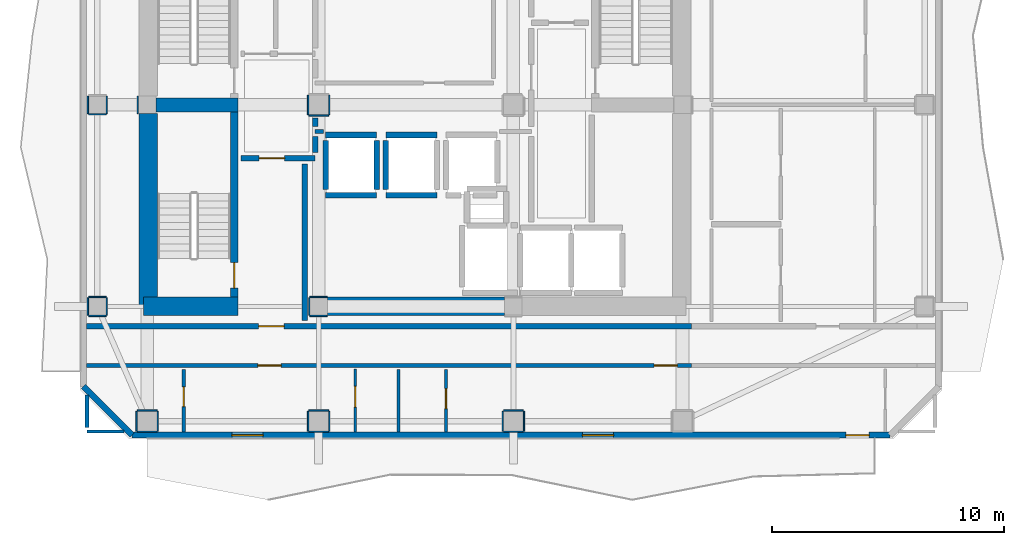
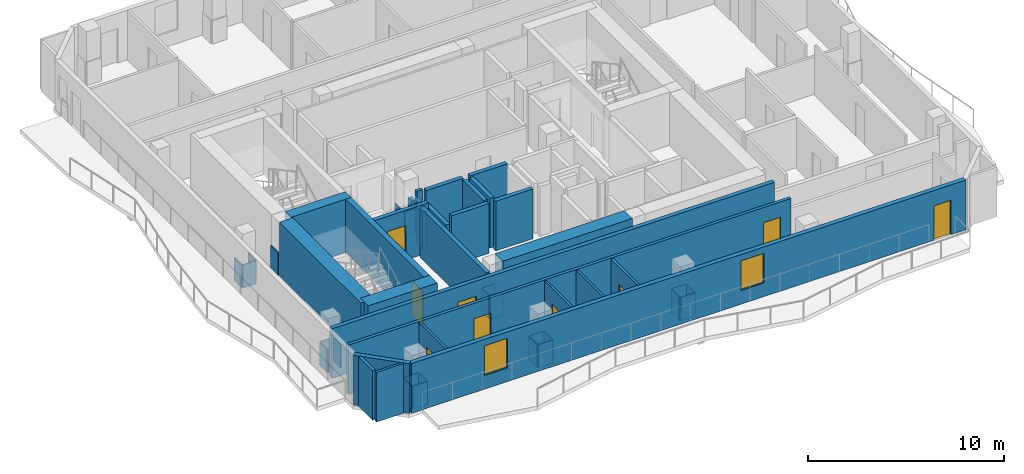
# One storey, part 2 of 9: 53 walls, 9 doors, 2 windows, 11 openings.
"""IFC4 building model written with IfcOpenShell, lengths in metres."""

from ifc_helpers import new_model, si_unit, direction, frame, frame_2d, origin, place, context, subcontext, project, spatial, rectangle, extrude, material, layer, layer_set, type_object, element, fill, save


model = new_model("IFC4")

# Units and contexts
model_context = context("Model", 3, precision=1e-05, world=origin(), true_north=direction((0.0, 1.0)))
body_context = subcontext(model_context, "Body", "Model", "MODEL_VIEW")
ifc_project = project(units=[si_unit("LENGTHUNIT", "METRE"), si_unit("AREAUNIT", "SQUARE_METRE"), si_unit("VOLUMEUNIT", "CUBIC_METRE"), si_unit("PLANEANGLEUNIT", "RADIAN"), si_unit("MASSUNIT", "GRAM", prefix="KILO")], contexts=[model_context])

# Site, building, storey
site_placement = place(None, origin())
site = spatial("IfcSite", under=ifc_project, at=site_placement, CompositionType="ELEMENT")
building_placement = place(site_placement, origin())
building = spatial("IfcBuilding", under=site, at=building_placement, Name="Solanera Arch Residences", CompositionType="ELEMENT")
storey_placement = place(building_placement, frame((0.0, 0.0, 234.60009765625)))
storey = spatial("IfcBuildingStorey", under=building, at=storey_placement, Name="L68", CompositionType="ELEMENT", Elevation=234.60009765625)

# Walls
ifc_material_1 = material(Name="Fire-Rated Gypsum Stud Partition", Category="gypsum")
ifc_layer_1 = layer(ifc_material_1, 0.06005859375)
ifc_layer_set_1 = layer_set([ifc_layer_1], Name="Fire-Rated Gypsum Stud Partition")
wall_type_1 = type_object("IfcWallType", Name="Column Acoustic Furring Wall 60", PredefinedType="PARTITIONING", material=ifc_layer_set_1)
for number, where, z_axis, x_axis, name in (
    (1, (20.425048828125, 21.593017578125, 0.0), (0.0, 0.0, 1.0), (1.0, 0.0, 0.0), "L68 Column Furring 1S"),
    (2, (20.425048828125, 22.406982421875, 0.0), (0.0, 0.0, 1.0), (1.0, 0.0, 0.0), "L68 Column Furring 1N"),
):
    element("IfcWall", number, at=place(storey_placement, frame(where, z_axis=z_axis, x_axis=x_axis)), inside=storey, type_object=wall_type_1, Name=name, PredefinedType="PARTITIONING", context=body_context, shape_type="SweptSolid", body=[
        extrude(rectangle(XDim=0.741943359375, YDim=0.06005859375, at=frame_2d((0.37109375, 0.0))), origin(), (0.0, 0.0, 1.0), 1.449951171875),
    ])
for number, where, z_axis, x_axis, name in (
    (3, (20.39306640625, 21.625, 0.0), (0.0, 0.0, 1.0), (0.0, 1.0, 0.0), "L68 Column Furring 1W"),
    (4, (12.992919921875, 30.324951171875, 0.0), (0.0, 0.0, 1.0), (0.0, 1.0, 0.0), "L68 Column Furring 5W"),
):
    element("IfcWall", number, at=place(storey_placement, frame(where, z_axis=z_axis, x_axis=x_axis)), inside=storey, type_object=wall_type_1, Name=name, PredefinedType="PARTITIONING", context=body_context, shape_type="SweptSolid", body=[
        extrude(rectangle(XDim=0.75, YDim=0.06005859375, at=frame_2d((0.375, 0.0))), origin(), (0.0, 0.0, 1.0), 1.449951171875),
    ])
for number, where, z_axis, x_axis, name in (
    (5, (20.375, 30.242919921875, 0.0), (0.0, 0.0, 1.0), (1.0, 0.0, 0.0), "L68 Column Furring 7S"),
    (6, (20.343017578125, 30.27490234375, 0.0), (0.0, 0.0, 1.0), (0.0, 1.0, 0.0), "L68 Column Furring 7W"),
    (7, (21.257080078125, 30.27490234375, 0.0), (0.0, 0.0, 1.0), (0.0, 1.0, 0.0), "L68 Column Furring 7E"),
):
    element("IfcWall", number, at=place(storey_placement, frame(where, z_axis=z_axis, x_axis=x_axis)), inside=storey, type_object=wall_type_1, Name=name, PredefinedType="PARTITIONING", context=body_context, shape_type="SweptSolid", body=[
        extrude(rectangle(XDim=0.85009765625, YDim=0.06005859375, at=frame_2d((0.425048828125, 0.0))), origin(), (0.0, 0.0, 1.0), 1.449951171875),
    ])
for number, where, z_axis, x_axis, name in (
    (8, (12.97509765625, 16.593017578125, 0.0), (0.0, 0.0, 1.0), (1.0, 0.0, 0.0), "L68 Column Furring 9S"),
    (9, (12.97509765625, 17.507080078125, 0.0), (0.0, 0.0, 1.0), (1.0, 0.0, 0.0), "L68 Column Furring 9N"),
):
    element("IfcWall", number, at=place(storey_placement, frame(where, z_axis=z_axis, x_axis=x_axis)), inside=storey, type_object=wall_type_1, Name=name, PredefinedType="PARTITIONING", context=body_context, shape_type="SweptSolid", body=[
        extrude(rectangle(XDim=0.849853515625, YDim=0.06005859375, at=frame_2d((0.4248046875, 0.0))), origin(), (0.0, 0.0, 1.0), 1.449951171875),
    ])
for number, where, z_axis, x_axis, name in (
    (10, (12.943115234375, 16.625, 0.0), (0.0, 0.0, 1.0), (0.0, 1.0, 0.0), "L68 Column Furring 9W"),
    (11, (13.85693359375, 16.625, 0.0), (0.0, 0.0, 1.0), (0.0, 1.0, 0.0), "L68 Column Furring 9E"),
    (12, (20.375, 16.593017578125, 0.0), (0.0, 0.0, 1.0), (1.0, 0.0, 0.0), "L68 Column Furring 11S"),
    (13, (20.375, 17.507080078125, 0.0), (0.0, 0.0, 1.0), (1.0, 0.0, 0.0), "L68 Column Furring 11N"),
    (14, (20.343017578125, 16.625, 0.0), (0.0, 0.0, 1.0), (0.0, 1.0, 0.0), "L68 Column Furring 11W"),
    (15, (21.257080078125, 16.625, 0.0), (0.0, 0.0, 1.0), (0.0, 1.0, 0.0), "L68 Column Furring 11E"),
    (16, (28.77490234375, 16.593017578125, 0.0), (0.0, 0.0, 1.0), (1.0, 0.0, 0.0), "L68 Column Furring 13S"),
    (17, (28.77490234375, 17.507080078125, 0.0), (0.0, 0.0, 1.0), (1.0, 0.0, 0.0), "L68 Column Furring 13N"),
    (18, (28.742919921875, 16.625, 0.0), (0.0, 0.0, 1.0), (0.0, 1.0, 0.0), "L68 Column Furring 13W"),
    (19, (29.656982421875, 16.625, 0.0), (0.0, 0.0, 1.0), (0.0, 1.0, 0.0), "L68 Column Furring 13E"),
):
    element("IfcWall", number, at=place(storey_placement, frame(where, z_axis=z_axis, x_axis=x_axis)), inside=storey, type_object=wall_type_1, Name=name, PredefinedType="PARTITIONING", context=body_context, shape_type="SweptSolid", body=[
        extrude(rectangle(XDim=0.85009765625, YDim=0.06005859375, at=frame_2d((0.425048828125, 0.0))), origin(), (0.0, 0.0, 1.0), 1.449951171875),
    ])
for number, where, z_axis, x_axis, name in (
    (20, (10.875, 21.593017578125, 0.0), (0.0, 0.0, 1.0), (1.0, 0.0, 0.0), "L68 Column Furring 17S"),
    (21, (10.875, 22.406982421875, 0.0), (0.0, 0.0, 1.0), (1.0, 0.0, 0.0), "L68 Column Furring 17N"),
    (22, (10.843017578125, 21.625, 0.0), (0.0, 0.0, 1.0), (0.0, 1.0, 0.0), "L68 Column Furring 17W"),
    (23, (11.656982421875, 21.625, 0.0), (0.0, 0.0, 1.0), (0.0, 1.0, 0.0), "L68 Column Furring 17E"),
    (24, (10.875, 30.29296875, 0.0), (0.0, 0.0, 1.0), (1.0, 0.0, 0.0), "L68 Column Furring 19S"),
    (25, (10.843017578125, 30.324951171875, 0.0), (0.0, 0.0, 1.0), (0.0, 1.0, 0.0), "L68 Column Furring 19W"),
    (26, (11.656982421875, 30.324951171875, 0.0), (0.0, 0.0, 1.0), (0.0, 1.0, 0.0), "L68 Column Furring 19E"),
):
    element("IfcWall", number, at=place(storey_placement, frame(where, z_axis=z_axis, x_axis=x_axis)), inside=storey, type_object=wall_type_1, Name=name, PredefinedType="PARTITIONING", context=body_context, shape_type="SweptSolid", body=[
        extrude(rectangle(XDim=0.75, YDim=0.06005859375, at=frame_2d((0.375, 0.0))), origin(), (0.0, 0.0, 1.0), 1.449951171875),
    ])

# Wall, opening, door
ifc_material_2 = material(Name="Concrete C40/50 (f'c = 45 MPa)", Category="concrete")
ifc_layer_2 = layer(ifc_material_2, 0.320068359375)
ifc_layer_set_2 = layer_set([ifc_layer_2], Name="Concrete C40/50 (f'c = 45 MPa)")
wall_type_2 = type_object("IfcWallType", Name="Core Shear Wall CW-320", PredefinedType="SHEAR", material=ifc_layer_set_2)
wall_1_placement = place(storey_placement, frame((17.159912109375, 22.39990234375, 0.0), z_axis=(0.0, 0.0, 1.0), x_axis=(0.0, 1.0, 0.0)))
wall_1 = element("IfcWall", 27, at=wall_1_placement, inside=storey, type_object=wall_type_2, Name="L68 Stair ST-T3 East Shear Wall", PredefinedType="SHEAR", context=body_context, shape_type="SweptSolid", body=[
    extrude(rectangle(XDim=8.0, YDim=0.320068359375, at=frame_2d((4.0, 0.0))), origin(), (0.0, 0.0, 1.0), 3.31982421875),
])
opening_1_placement = place(wall_1_placement, frame((0.389892578125, 0.0, 0.0)))
opening_1 = element("IfcOpeningElement", 28, at=opening_1_placement, cuts=wall_1, Name="Opening DF-01", PredefinedType="OPENING", context=body_context, shape_type="SweptSolid", body=[
    extrude(rectangle(XDim=1.10009765625, YDim=2.14990234375, at=frame_2d((0.550048828125, 1.074951171875))), frame((0.0, 0.169921875, 0.0), z_axis=(0.0, -1.0, 0.0), x_axis=(1.0, 0.0, 0.0)), (0.0, 0.0, 1.0), 0.3401),
])
ifc_material_3 = material(Name="Fire-Rated Architectural Hardwood", Category="wood")
door_type_1 = type_object("IfcDoorType", Name="Stair Exit Fire Door DF-01", OperationType="NOTDEFINED", PredefinedType="DOOR", material=ifc_material_3)
door_1_placement = place(opening_1_placement, origin())
door_1 = element("IfcDoor", 29, at=door_1_placement, inside=storey, type_object=door_type_1, Name="DR-L68-STAIR-ST-T3", OperationType="SINGLE_SWING_LEFT", OverallHeight=2.14990234375, OverallWidth=1.10009765625, PredefinedType="DOOR", context=body_context, shape_type="SweptSolid", body=[
    extrude(rectangle(XDim=1.10009765625, YDim=2.14990234375, at=frame_2d((0.550048828125, 1.074951171875))), frame((0.0, 0.02490234375, 0.0), z_axis=(0.0, -1.0, 0.0), x_axis=(1.0, 0.0, 0.0)), (0.0, 0.0, 1.0), 0.050048828125),
])
fill(opening_1, door_1)

# Walls
ifc_material_4 = material(Name="Concrete C40/50 (f'c = 45 MPa)", Category="concrete")
ifc_layer_3 = layer(ifc_material_4, 0.60009765625)
ifc_layer_set_3 = layer_set([ifc_layer_3], Name="Concrete C40/50 (f'c = 45 MPa)")
wall_type_3 = type_object("IfcWallType", Name="Core Shear Wall CW-600", PredefinedType="SHEAR", material=ifc_layer_set_3)
wall_2_placement = place(storey_placement, frame((13.780029296875, 30.699951171875, 0.0), z_axis=(0.0, 0.0, 1.0), x_axis=(1.0, 0.0, 0.0)))
element("IfcWall", 30, at=wall_2_placement, inside=storey, type_object=wall_type_3, Name="L68 West Stair Divider Shear Wall", PredefinedType="SHEAR", context=body_context, shape_type="SweptSolid", body=[
    extrude(rectangle(XDim=3.5400390625, YDim=0.60009765625, at=frame_2d((1.77001953125, 0.0))), origin(), (0.0, 0.0, 1.0), 3.31982421875),
])
ifc_material_5 = material(Name="Concrete C40/50 (f'c = 45 MPa)", Category="concrete")
ifc_layer_4 = layer(ifc_material_5, 0.800048828125)
ifc_layer_set_4 = layer_set([ifc_layer_4], Name="Concrete C40/50 (f'c = 45 MPa)")
wall_type_4 = type_object("IfcWallType", Name="Core Shear Wall CW-800", PredefinedType="SHEAR", material=ifc_layer_set_4)
wall_3_placement = place(storey_placement, frame((13.43994140625, 22.0, 0.0), z_axis=(0.0, 0.0, 1.0), x_axis=(0.0, 1.0, 0.0)))
element("IfcWall", 31, at=wall_3_placement, inside=storey, type_object=wall_type_4, Name="L68 West Core South Shear Wall", PredefinedType="SHEAR", context=body_context, shape_type="SweptSolid", body=[
    extrude(rectangle(XDim=8.320068359375, YDim=0.800048828125, at=frame_2d((4.16015625, 0.0))), origin(), (0.0, 0.0, 1.0), 3.31982421875),
])
wall_4_placement = place(storey_placement, frame((13.239990234375, 22.0, 0.0), z_axis=(0.0, 0.0, 1.0), x_axis=(1.0, 0.0, 0.0)))
element("IfcWall", 32, at=wall_4_placement, inside=storey, type_object=wall_type_4, Name="L68 South-West Core Shear Wall", PredefinedType="SHEAR", context=body_context, shape_type="SweptSolid", body=[
    extrude(rectangle(XDim=4.080078125, YDim=0.800048828125, at=frame_2d((2.0400390625, 0.0))), origin(), (0.0, 0.0, 1.0), 3.31982421875),
])
wall_5_placement = place(storey_placement, frame((21.179931640625, 22.0, 0.0), z_axis=(0.0, 0.0, 1.0), x_axis=(1.0, 0.0, 0.0)))
element("IfcWall", 33, at=wall_5_placement, inside=storey, type_object=wall_type_4, Name="L68 Central South Core Shear Wall", PredefinedType="SHEAR", context=body_context, shape_type="SweptSolid", body=[
    extrude(rectangle(XDim=7.64013671875, YDim=0.800048828125, at=frame_2d((3.820068359375, 0.0))), origin(), (0.0, 0.0, 1.0), 3.31982421875),
])

# Wall, openings, doors
ifc_material_6 = material(Name="Autoclaved Aerated Concrete Blockwork", Category="masonry")
ifc_layer_5 = layer(ifc_material_6, 0.179931640625)
ifc_layer_set_5 = layer_set([ifc_layer_5], Name="Autoclaved Aerated Concrete Blockwork")
wall_type_5 = type_object("IfcWallType", Name="Corridor Fire Partition 180", PredefinedType="PARTITIONING", material=ifc_layer_set_5)
wall_6_placement = place(storey_placement, frame((10.787109375, 19.449951171875, 0.0), z_axis=(0.0, 0.0, 1.0), x_axis=(1.0, 0.0, 0.0)))
wall_6 = element("IfcWall", 34, at=wall_6_placement, inside=storey, type_object=wall_type_5, Name="L68 Interior Partition H8 1", PredefinedType="PARTITIONING", context=body_context, shape_type="SweptSolid", body=[
    extrude(rectangle(XDim=26.101806640625, YDim=0.179931640625, at=frame_2d((13.05078125, 0.0))), origin(), (0.0, 0.0, 1.0), 3.099853515625),
])
opening_2_placement = place(wall_6_placement, frame((7.39306640625, 0.0, 0.0)))
opening_2 = element("IfcOpeningElement", 35, at=opening_2_placement, cuts=wall_6, Name="Opening DI-01", PredefinedType="OPENING", context=body_context, shape_type="SweptSolid", body=[
    extrude(rectangle(XDim=1.0, YDim=2.14990234375, at=frame_2d((0.5, 1.074951171875))), frame((0.0, 0.10009765625, 0.0), z_axis=(0.0, -1.0, 0.0), x_axis=(1.0, 0.0, 0.0)), (0.0, 0.0, 1.0), 0.1999),
])
opening_3_placement = place(wall_6_placement, frame((24.485107421875, 0.0, 0.0)))
opening_3 = element("IfcOpeningElement", 36, at=opening_3_placement, cuts=wall_6, Name="Opening DI-01", PredefinedType="OPENING", context=body_context, shape_type="SweptSolid", body=[
    extrude(rectangle(XDim=1.0, YDim=2.14990234375, at=frame_2d((0.5, 1.074951171875))), frame((0.0, 0.10009765625, 0.0), z_axis=(0.0, -1.0, 0.0), x_axis=(1.0, 0.0, 0.0)), (0.0, 0.0, 1.0), 0.1999),
])
ifc_material_7 = material(Name="Fire-Rated Architectural Hardwood", Category="wood")
door_type_2 = type_object("IfcDoorType", Name="Unit Entrance Fire Door DI-01", OperationType="NOTDEFINED", PredefinedType="DOOR", material=ifc_material_7)
door_2_placement = place(opening_2_placement, origin())
door_2 = element("IfcDoor", 37, at=door_2_placement, inside=storey, type_object=door_type_2, Name="DR-L68-IN-014", OperationType="SINGLE_SWING_RIGHT", OverallHeight=2.14990234375, OverallWidth=1.0, PredefinedType="DOOR", context=body_context, shape_type="SweptSolid", body=[
    extrude(rectangle(XDim=1.0, YDim=2.14990234375, at=frame_2d((0.5, 1.074951171875))), frame((0.0, 0.02490234375, 0.0), z_axis=(0.0, -1.0, 0.0), x_axis=(1.0, 0.0, 0.0)), (0.0, 0.0, 1.0), 0.050048828125),
])
fill(opening_2, door_2)
door_3_placement = place(opening_3_placement, origin())
door_3 = element("IfcDoor", 38, at=door_3_placement, inside=storey, type_object=door_type_2, Name="DR-L68-IN-017", OperationType="SINGLE_SWING_LEFT", OverallHeight=2.14990234375, OverallWidth=1.0, PredefinedType="DOOR", context=body_context, shape_type="SweptSolid", body=[
    extrude(rectangle(XDim=1.0, YDim=2.14990234375, at=frame_2d((0.5, 1.074951171875))), frame((0.0, 0.02490234375, 0.0), z_axis=(0.0, -1.0, 0.0), x_axis=(1.0, 0.0, 0.0)), (0.0, 0.0, 1.0), 0.050048828125),
])
fill(opening_3, door_3)

# Walls
wall_7_placement = place(storey_placement, frame((20.64990234375, 29.550048828125, 0.0), z_axis=(0.0, 0.0, 1.0), x_axis=(1.0, 0.0, 0.0)))
element("IfcWall", 39, at=wall_7_placement, inside=storey, type_object=wall_type_5, Name="L68 Interior Partition H9 1", PredefinedType="PARTITIONING", context=body_context, shape_type="SweptSolid", body=[
    extrude(rectangle(XDim=0.357177734375, YDim=0.179931640625, at=frame_2d((0.1787109375, 0.0))), origin(), (0.0, 0.0, 1.0), 3.099853515625),
])
wall_8_placement = place(storey_placement, frame((10.800048828125, 16.76806640625, 0.0), z_axis=(0.0, 0.0, 1.0), x_axis=(0.0, 1.0, 0.0)))
element("IfcWall", 40, at=wall_8_placement, inside=storey, type_object=wall_type_5, Name="L68 Interior Partition V7", PredefinedType="PARTITIONING", context=body_context, shape_type="SweptSolid", body=[
    extrude(rectangle(XDim=1.4208984375, YDim=0.179931640625, at=frame_2d((0.71044921875, 0.0))), origin(), (0.0, 0.0, 1.0), 3.099853515625),
])

# Wall, openings, door, windows
ifc_material_8 = material(Name="Precast Concrete C35/45", Category="concrete")
ifc_layer_6 = layer(ifc_material_8, 0.260009765625)
ifc_layer_set_6 = layer_set([ifc_layer_6], Name="Precast Concrete C35/45")
wall_type_6 = type_object("IfcWallType", Name="Exterior Wall Precast Masonry-Frame 260", PredefinedType="STANDARD", material=ifc_layer_set_6)
wall_9_placement = place(storey_placement, frame((45.455078125, 16.445068359375, 0.0), z_axis=(0.0, 0.0, 1.0), x_axis=(-1.0, 0.0, 0.0)))
wall_9 = element("IfcWall", 41, at=wall_9_placement, inside=storey, type_object=wall_type_6, Name="L68 Tower Exterior Precast Masonry-Frame Wall S", PredefinedType="STANDARD", context=body_context, shape_type="SweptSolid", body=[
    extrude(rectangle(XDim=32.7099609375, YDim=0.260009765625, at=frame_2d((16.35498046875, 0.0))), origin(), (0.0, 0.0, 1.0), 3.099853515625),
])
opening_4_placement = place(wall_9_placement, frame((0.906982421875, 0.0, 0.0)))
opening_4 = element("IfcOpeningElement", 42, at=opening_4_placement, cuts=wall_9, Name="Opening DB-01", PredefinedType="OPENING", context=body_context, shape_type="SweptSolid", body=[
    extrude(rectangle(XDim=1.0, YDim=2.14990234375, at=frame_2d((0.5, 1.074951171875))), frame((0.0, 0.139892578125, 0.0), z_axis=(0.0, -1.0, 0.0), x_axis=(1.0, 0.0, 0.0)), (0.0, 0.0, 1.0), 0.28),
])
opening_5_placement = place(wall_9_placement, frame((27.052001953125, 0.0, 0.85009765625)))
opening_5 = element("IfcOpeningElement", 43, at=opening_5_placement, cuts=wall_9, Name="Opening W-10", PredefinedType="OPENING", context=body_context, shape_type="SweptSolid", body=[
    extrude(rectangle(XDim=1.35009765625, YDim=1.85009765625, at=frame_2d((0.675048828125, 0.925048828125))), frame((0.0, 0.139892578125, 0.0), z_axis=(0.0, -1.0, 0.0), x_axis=(1.0, 0.0, 0.0)), (0.0, 0.0, 1.0), 0.28),
])
opening_6_placement = place(wall_9_placement, frame((11.929931640625, 0.0, 0.85009765625)))
opening_6 = element("IfcOpeningElement", 44, at=opening_6_placement, cuts=wall_9, Name="Opening W-10", PredefinedType="OPENING", context=body_context, shape_type="SweptSolid", body=[
    extrude(rectangle(XDim=1.35009765625, YDim=1.85009765625, at=frame_2d((0.675048828125, 0.925048828125))), frame((0.0, 0.139892578125, 0.0), z_axis=(0.0, -1.0, 0.0), x_axis=(1.0, 0.0, 0.0)), (0.0, 0.0, 1.0), 0.28),
])
ifc_material_9 = material(Name="Anodised Aluminium Alloy 6063-T6", Category="aluminium")
door_type_3 = type_object("IfcDoorType", Name="Glazed Balcony Swing Door DB-01", OperationType="NOTDEFINED", PredefinedType="DOOR", material=ifc_material_9)
door_4_placement = place(opening_4_placement, origin())
door_4 = element("IfcDoor", 45, at=door_4_placement, inside=storey, type_object=door_type_3, Name="DR-L68-OUT-01", OperationType="SINGLE_SWING_RIGHT", OverallHeight=2.14990234375, OverallWidth=1.0, PredefinedType="DOOR", context=body_context, shape_type="SweptSolid", body=[
    extrude(rectangle(XDim=1.0, YDim=2.14990234375, at=frame_2d((0.5, 1.074951171875))), frame((0.0, 0.02490234375, 0.0), z_axis=(0.0, -1.0, 0.0), x_axis=(1.0, 0.0, 0.0)), (0.0, 0.0, 1.0), 0.050048828125),
])
fill(opening_4, door_4)
ifc_material_10 = material(Name="Double Glazed Low-E Laminated Glass", Category="glass")
window_type = type_object("IfcWindowType", Name="Punched Window W-10", PartitioningType="DOUBLE_PANEL_VERTICAL", PredefinedType="WINDOW", material=ifc_material_10)
window_1_placement = place(opening_5_placement, origin())
window_1 = element("IfcWindow", 46, at=window_1_placement, inside=storey, type_object=window_type, Name="L68 6801-LIV Punched Window", OverallHeight=1.85009765625, OverallWidth=1.35009765625, PartitioningType="SINGLE_PANEL", PredefinedType="WINDOW", context=body_context, shape_type="SweptSolid", body=[
    extrude(rectangle(XDim=1.35009765625, YDim=1.85009765625, at=frame_2d((0.675048828125, 0.925048828125))), frame((0.0, 0.030029296875, 0.0), z_axis=(0.0, -1.0, 0.0), x_axis=(1.0, 0.0, 0.0)), (0.0, 0.0, 1.0), 0.06005859375),
])
fill(opening_5, window_1)
window_2_placement = place(opening_6_placement, origin())
window_2 = element("IfcWindow", 47, at=window_2_placement, inside=storey, type_object=window_type, Name="L68 6802-LIV Punched Window", OverallHeight=1.85009765625, OverallWidth=1.35009765625, PartitioningType="SINGLE_PANEL", PredefinedType="WINDOW", context=body_context, shape_type="SweptSolid", body=[
    extrude(rectangle(XDim=1.35009765625, YDim=1.85009765625, at=frame_2d((0.675048828125, 0.925048828125))), frame((0.0, 0.030029296875, 0.0), z_axis=(0.0, -1.0, 0.0), x_axis=(1.0, 0.0, 0.0)), (0.0, 0.0, 1.0), 0.06005859375),
])
fill(opening_6, window_2)

# Walls
wall_10_placement = place(storey_placement, frame((12.7451171875, 16.445068359375, 0.0), z_axis=(0.0, 0.0, 1.0), x_axis=(-0.707147883682, 0.707065676302, 0.0)))
element("IfcWall", 48, at=wall_10_placement, inside=storey, type_object=wall_type_6, Name="L68 Tower Exterior Precast Masonry-Frame Wall CH7", PredefinedType="STANDARD", context=body_context, shape_type="SweptSolid", body=[
    extrude(rectangle(XDim=2.9697265625, YDim=0.260009765625, at=frame_2d((1.48486328125, 0.0))), origin(), (0.0, 0.0, 1.0), 3.099853515625),
])
ifc_material_11 = material(Name="Autoclaved Aerated Concrete Blockwork", Category="masonry")
ifc_layer_7 = layer(ifc_material_11, 0.239990234375)
ifc_layer_set_7 = layer_set([ifc_layer_7], Name="Autoclaved Aerated Concrete Blockwork")
wall_type_7 = type_object("IfcWallType", Name="Shaft Wall Fire-Rated 240", PredefinedType="PARTITIONING", material=ifc_layer_set_7)
for number, where, z_axis, x_axis, name in (
    (49, (21.10009765625, 26.800048828125, 0.0), (0.0, 0.0, 1.0), (1.0, 0.0, 0.0), "L68 Lift PL-H1 Hoistway Wall S"),
    (50, (21.10009765625, 29.39990234375, 0.0), (0.0, 0.0, 1.0), (1.0, 0.0, 0.0), "L68 Lift PL-H1 Hoistway Wall N"),
):
    element("IfcWall", number, at=place(storey_placement, frame(where, z_axis=z_axis, x_axis=x_axis)), inside=storey, type_object=wall_type_7, Name=name, PredefinedType="PARTITIONING", context=body_context, shape_type="SweptSolid", body=[
        extrude(rectangle(XDim=2.199951171875, YDim=0.239990234375, at=frame_2d((1.10009765625, 0.0))), origin(), (0.0, 0.0, 1.0), 3.099853515625),
    ])
wall_11_placement = place(storey_placement, frame((21.10009765625, 27.048095703125, 0.0), z_axis=(0.0, 0.0, 1.0), x_axis=(0.0, 1.0, 0.0)))
element("IfcWall", 51, at=wall_11_placement, inside=storey, type_object=wall_type_7, Name="L68 Lift PL-H1 Hoistway Wall W", PredefinedType="PARTITIONING", context=body_context, shape_type="SweptSolid", body=[
    extrude(rectangle(XDim=2.10400390625, YDim=0.239990234375, at=frame_2d((1.052001953125, 0.0))), origin(), (0.0, 0.0, 1.0), 2.3349609375),
])
wall_12_placement = place(storey_placement, frame((23.300048828125, 27.048095703125, 0.0), z_axis=(0.0, 0.0, 1.0), x_axis=(0.0, 1.0, 0.0)))
element("IfcWall", 52, at=wall_12_placement, inside=storey, type_object=wall_type_7, Name="L68 Lift PL-H1 Hoistway Wall E", PredefinedType="PARTITIONING", context=body_context, shape_type="SweptSolid", body=[
    extrude(rectangle(XDim=2.10400390625, YDim=0.239990234375, at=frame_2d((1.052001953125, 0.0))), origin(), (0.0, 0.0, 1.0), 3.099853515625),
])
for number, where, z_axis, x_axis, name in (
    (53, (23.699951171875, 26.800048828125, 0.0), (0.0, 0.0, 1.0), (1.0, 0.0, 0.0), "L68 Lift PL-H2 Hoistway Wall S"),
    (54, (23.699951171875, 29.39990234375, 0.0), (0.0, 0.0, 1.0), (1.0, 0.0, 0.0), "L68 Lift PL-H2 Hoistway Wall N"),
):
    element("IfcWall", number, at=place(storey_placement, frame(where, z_axis=z_axis, x_axis=x_axis)), inside=storey, type_object=wall_type_7, Name=name, PredefinedType="PARTITIONING", context=body_context, shape_type="SweptSolid", body=[
        extrude(rectangle(XDim=2.199951171875, YDim=0.239990234375, at=frame_2d((1.10009765625, 0.0))), origin(), (0.0, 0.0, 1.0), 3.099853515625),
    ])
wall_13_placement = place(storey_placement, frame((23.699951171875, 27.048095703125, 0.0), z_axis=(0.0, 0.0, 1.0), x_axis=(0.0, 1.0, 0.0)))
element("IfcWall", 55, at=wall_13_placement, inside=storey, type_object=wall_type_7, Name="L68 Lift PL-H2 Hoistway Wall W", PredefinedType="PARTITIONING", context=body_context, shape_type="SweptSolid", body=[
    extrude(rectangle(XDim=2.10400390625, YDim=0.239990234375, at=frame_2d((1.052001953125, 0.0))), origin(), (0.0, 0.0, 1.0), 3.099853515625),
])

# Wall, opening, door
wall_14_placement = place(storey_placement, frame((10.787109375, 21.14990234375, 0.0), z_axis=(0.0, 0.0, 1.0), x_axis=(1.0, 0.0, 0.0)))
wall_14 = element("IfcWall", 56, at=wall_14_placement, inside=storey, type_object=wall_type_7, Name="L68 Interior Partition H1 1", PredefinedType="PARTITIONING", context=body_context, shape_type="SweptSolid", body=[
    extrude(rectangle(XDim=26.101806640625, YDim=0.239990234375, at=frame_2d((13.05078125, 0.0))), origin(), (0.0, 0.0, 1.0), 3.099853515625),
])
opening_7_placement = place(wall_14_placement, frame((7.423095703125, 0.0, 0.0)))
opening_7 = element("IfcOpeningElement", 57, at=opening_7_placement, cuts=wall_14, Name="Opening DF-02", PredefinedType="OPENING", context=body_context, shape_type="SweptSolid", body=[
    extrude(rectangle(XDim=1.10009765625, YDim=2.14990234375, at=frame_2d((0.550048828125, 1.074951171875))), frame((0.0, 0.1298828125, 0.0), z_axis=(0.0, -1.0, 0.0), x_axis=(1.0, 0.0, 0.0)), (0.0, 0.0, 1.0), 0.26),
])
ifc_material_12 = material(Name="Fire-Rated Architectural Hardwood", Category="wood")
door_type_4 = type_object("IfcDoorType", Name="Firefighting Lobby Fire Door DF-02", OperationType="NOTDEFINED", PredefinedType="DOOR", material=ifc_material_12)
door_5_placement = place(opening_7_placement, origin())
door_5 = element("IfcDoor", 58, at=door_5_placement, inside=storey, type_object=door_type_4, Name="DR-L68-IN-008", OperationType="SINGLE_SWING_RIGHT", OverallHeight=2.14990234375, OverallWidth=1.10009765625, PredefinedType="DOOR", context=body_context, shape_type="SweptSolid", body=[
    extrude(rectangle(XDim=1.10009765625, YDim=2.14990234375, at=frame_2d((0.550048828125, 1.074951171875))), frame((0.0, 0.02490234375, 0.0), z_axis=(0.0, -1.0, 0.0), x_axis=(1.0, 0.0, 0.0)), (0.0, 0.0, 1.0), 0.050048828125),
])
fill(opening_7, door_5)

wall_15_placement = place(storey_placement, frame((17.449951171875, 28.39990234375, 0.0), z_axis=(0.0, 0.0, 1.0), x_axis=(1.0, 0.0, 0.0)))
wall_15 = element("IfcWall", 59, at=wall_15_placement, inside=storey, type_object=wall_type_7, Name="L68 Interior Partition H4", PredefinedType="PARTITIONING", context=body_context, shape_type="SweptSolid", body=[
    extrude(rectangle(XDim=3.199951171875, YDim=0.239990234375, at=frame_2d((1.60009765625, 0.0))), origin(), (0.0, 0.0, 1.0), 3.099853515625),
])
opening_8_placement = place(wall_15_placement, frame((0.783935546875, 0.0, 0.0)))
opening_8 = element("IfcOpeningElement", 60, at=opening_8_placement, cuts=wall_15, Name="Opening DF-02", PredefinedType="OPENING", context=body_context, shape_type="SweptSolid", body=[
    extrude(rectangle(XDim=1.10009765625, YDim=2.14990234375, at=frame_2d((0.550048828125, 1.074951171875))), frame((0.0, 0.1298828125, 0.0), z_axis=(0.0, -1.0, 0.0), x_axis=(1.0, 0.0, 0.0)), (0.0, 0.0, 1.0), 0.26),
])
door_6_placement = place(opening_8_placement, origin())
door_6 = element("IfcDoor", 61, at=door_6_placement, inside=storey, type_object=door_type_4, Name="DR-L68-IN-004", OperationType="SINGLE_SWING_RIGHT", OverallHeight=2.14990234375, OverallWidth=1.10009765625, PredefinedType="DOOR", context=body_context, shape_type="SweptSolid", body=[
    extrude(rectangle(XDim=1.10009765625, YDim=2.14990234375, at=frame_2d((0.550048828125, 1.074951171875))), frame((0.0, 0.02490234375, 0.0), z_axis=(0.0, -1.0, 0.0), x_axis=(1.0, 0.0, 0.0)), (0.0, 0.0, 1.0), 0.050048828125),
])
fill(opening_8, door_6)

# Walls
wall_16_placement = place(storey_placement, frame((20.199951171875, 21.39794921875, 0.0), z_axis=(0.0, 0.0, 1.0), x_axis=(0.0, 1.0, 0.0)))
element("IfcWall", 62, at=wall_16_placement, inside=storey, type_object=wall_type_7, Name="L68 Interior Partition V2", PredefinedType="PARTITIONING", context=body_context, shape_type="SweptSolid", body=[
    extrude(rectangle(XDim=6.754150390625, YDim=0.239990234375, at=frame_2d((3.376953125, 0.0))), origin(), (0.0, 0.0, 1.0), 3.099853515625),
])
wall_17_placement = place(storey_placement, frame((20.64990234375, 28.64794921875, 0.0), z_axis=(0.0, 0.0, 1.0), x_axis=(0.0, 1.0, 0.0)))
element("IfcWall", 63, at=wall_17_placement, inside=storey, type_object=wall_type_7, Name="L68 Interior Partition V3 1", PredefinedType="PARTITIONING", context=body_context, shape_type="SweptSolid", body=[
    extrude(rectangle(XDim=0.68408203125, YDim=0.239990234375, at=frame_2d((0.342041015625, 0.0))), origin(), (0.0, 0.0, 1.0), 2.3349609375),
])
wall_18_placement = place(storey_placement, frame((20.64990234375, 29.76806640625, 0.0), z_axis=(0.0, 0.0, 1.0), x_axis=(0.0, 1.0, 0.0)))
element("IfcWall", 64, at=wall_18_placement, inside=storey, type_object=wall_type_7, Name="L68 Interior Partition V3 2", PredefinedType="PARTITIONING", context=body_context, shape_type="SweptSolid", body=[
    extrude(rectangle(XDim=0.375, YDim=0.239990234375, at=frame_2d((0.1875, 0.0))), origin(), (0.0, 0.0, 1.0), 2.3349609375),
])

# Wall, opening, door
ifc_material_13 = material(Name="Fire-Rated Gypsum Stud Partition", Category="gypsum")
ifc_layer_8 = layer(ifc_material_13, 0.1201171875)
ifc_layer_set_8 = layer_set([ifc_layer_8], Name="Fire-Rated Gypsum Stud Partition")
wall_type_8 = type_object("IfcWallType", Name="Unit Drywall Partition 120", PredefinedType="PARTITIONING", material=ifc_layer_set_8)
wall_19_placement = place(storey_placement, frame((22.3798828125, 16.5869140625, 0.0), z_axis=(0.0, 0.0, 1.0), x_axis=(0.0, 1.0, 0.0)))
wall_19 = element("IfcWall", 65, at=wall_19_placement, inside=storey, type_object=wall_type_8, Name="L68 Interior Partition V18", PredefinedType="PARTITIONING", context=body_context, shape_type="SweptSolid", body=[
    extrude(rectangle(XDim=2.705078125, YDim=0.1201171875, at=frame_2d((1.3525390625, 0.0))), origin(), (0.0, 0.0, 1.0), 3.099853515625),
])
opening_9_placement = place(wall_19_placement, frame((1.068115234375, 0.0, 0.0)))
opening_9 = element("IfcOpeningElement", 66, at=opening_9_placement, cuts=wall_19, Name="Opening DI-02", PredefinedType="OPENING", context=body_context, shape_type="SweptSolid", body=[
    extrude(rectangle(XDim=0.89990234375, YDim=2.10009765625, at=frame_2d((0.449951171875, 1.050048828125))), frame((0.0, 0.070068359375, 0.0), z_axis=(0.0, -1.0, 0.0), x_axis=(1.0, 0.0, 0.0)), (0.0, 0.0, 1.0), 0.1401),
])
ifc_material_14 = material(Name="Fire-Rated Architectural Hardwood", Category="wood")
door_type_5 = type_object("IfcDoorType", Name="Suite Room Swing Door DI-02", OperationType="NOTDEFINED", PredefinedType="DOOR", material=ifc_material_14)
door_7_placement = place(opening_9_placement, origin())
door_7 = element("IfcDoor", 67, at=door_7_placement, inside=storey, type_object=door_type_5, Name="DR-L68-IN-016", OperationType="SINGLE_SWING_RIGHT", OverallHeight=2.10009765625, OverallWidth=0.89990234375, PredefinedType="DOOR", context=body_context, shape_type="SweptSolid", body=[
    extrude(rectangle(XDim=0.89990234375, YDim=2.10009765625, at=frame_2d((0.449951171875, 1.050048828125))), frame((0.0, 0.02490234375, 0.0), z_axis=(0.0, -1.0, 0.0), x_axis=(1.0, 0.0, 0.0)), (0.0, 0.0, 1.0), 0.050048828125),
])
fill(opening_9, door_7)

# Wall
ifc_material_15 = material(Name="Autoclaved Aerated Concrete Blockwork", Category="masonry")
ifc_layer_9 = layer(ifc_material_15, 0.139892578125)
ifc_layer_set_9 = layer_set([ifc_layer_9], Name="Autoclaved Aerated Concrete Blockwork")
wall_type_9 = type_object("IfcWallType", Name="Wet-Room Partition 140", PredefinedType="PARTITIONING", material=ifc_layer_set_9)
wall_20_placement = place(storey_placement, frame((10.800048828125, 16.60009765625, 0.0), z_axis=(0.0, 0.0, 1.0), x_axis=(1.0, 0.0, 0.0)))
element("IfcWall", 68, at=wall_20_placement, inside=storey, type_object=wall_type_9, Name="L68 Interior Partition H15 1", PredefinedType="PARTITIONING", context=body_context, shape_type="SweptSolid", body=[
    extrude(rectangle(XDim=1.5888671875, YDim=0.139892578125, at=frame_2d((0.79443359375, 0.0))), origin(), (0.0, 0.0, 1.0), 3.099853515625),
])

# Wall, opening, door
wall_21_placement = place(storey_placement, frame((14.97998046875, 16.5869140625, 0.0), z_axis=(0.0, 0.0, 1.0), x_axis=(0.0, 1.0, 0.0)))
wall_21 = element("IfcWall", 69, at=wall_21_placement, inside=storey, type_object=wall_type_9, Name="L68 Interior Partition V11", PredefinedType="PARTITIONING", context=body_context, shape_type="SweptSolid", body=[
    extrude(rectangle(XDim=2.695068359375, YDim=0.139892578125, at=frame_2d((1.34765625, 0.0))), origin(), (0.0, 0.0, 1.0), 3.099853515625),
])
opening_10_placement = place(wall_21_placement, frame((1.087890625, 0.0, 0.0)))
opening_10 = element("IfcOpeningElement", 70, at=opening_10_placement, cuts=wall_21, Name="Opening DI-05", PredefinedType="OPENING", context=body_context, shape_type="SweptSolid", body=[
    extrude(rectangle(XDim=0.860107421875, YDim=2.02001953125, at=frame_2d((0.43017578125, 1.010009765625))), frame((0.0, 0.079833984375, 0.0), z_axis=(0.0, -1.0, 0.0), x_axis=(1.0, 0.0, 0.0)), (0.0, 0.0, 1.0), 0.1599),
])
ifc_material_16 = material(Name="Fire-Rated Architectural Hardwood", Category="wood")
door_type_6 = type_object("IfcDoorType", Name="Bathroom Swing Door DI-05", OperationType="NOTDEFINED", PredefinedType="DOOR", material=ifc_material_16)
door_8_placement = place(opening_10_placement, origin())
door_8 = element("IfcDoor", 71, at=door_8_placement, inside=storey, type_object=door_type_6, Name="DR-L68-IN-015", OperationType="SINGLE_SWING_LEFT", OverallHeight=2.02001953125, OverallWidth=0.860107421875, PredefinedType="DOOR", context=body_context, shape_type="SweptSolid", body=[
    extrude(rectangle(XDim=0.860107421875, YDim=2.02001953125, at=frame_2d((0.43017578125, 1.010009765625))), frame((0.0, 0.02490234375, 0.0), z_axis=(0.0, -1.0, 0.0), x_axis=(1.0, 0.0, 0.0)), (0.0, 0.0, 1.0), 0.050048828125),
])
fill(opening_10, door_8)

# Wall
wall_22_placement = place(storey_placement, frame((24.243896484375, 16.5869140625, 0.0), z_axis=(0.0, 0.0, 1.0), x_axis=(0.0, 1.0, 0.0)))
element("IfcWall", 72, at=wall_22_placement, inside=storey, type_object=wall_type_9, Name="L68 Interior Partition V13", PredefinedType="PARTITIONING", context=body_context, shape_type="SweptSolid", body=[
    extrude(rectangle(XDim=2.695068359375, YDim=0.139892578125, at=frame_2d((1.34765625, 0.0))), origin(), (0.0, 0.0, 1.0), 3.099853515625),
])

# Wall, opening, door
wall_23_placement = place(storey_placement, frame((26.2939453125, 16.5869140625, 0.0), z_axis=(0.0, 0.0, 1.0), x_axis=(0.0, 1.0, 0.0)))
wall_23 = element("IfcWall", 73, at=wall_23_placement, inside=storey, type_object=wall_type_9, Name="L68 Interior Partition V14", PredefinedType="PARTITIONING", context=body_context, shape_type="SweptSolid", body=[
    extrude(rectangle(XDim=2.695068359375, YDim=0.139892578125, at=frame_2d((1.34765625, 0.0))), origin(), (0.0, 0.0, 1.0), 3.099853515625),
])
opening_11_placement = place(wall_23_placement, frame((1.008056640625, 0.0, 0.0)))
opening_11 = element("IfcOpeningElement", 74, at=opening_11_placement, cuts=wall_23, Name="Opening DI-05", PredefinedType="OPENING", context=body_context, shape_type="SweptSolid", body=[
    extrude(rectangle(XDim=0.860107421875, YDim=2.02001953125, at=frame_2d((0.43017578125, 1.010009765625))), frame((0.0, 0.079833984375, 0.0), z_axis=(0.0, -1.0, 0.0), x_axis=(1.0, 0.0, 0.0)), (0.0, 0.0, 1.0), 0.1599),
])
door_9_placement = place(opening_11_placement, origin())
door_9 = element("IfcDoor", 75, at=door_9_placement, inside=storey, type_object=door_type_6, Name="DR-L68-IN-018", OperationType="SINGLE_SWING_RIGHT", OverallHeight=2.02001953125, OverallWidth=0.860107421875, PredefinedType="DOOR", context=body_context, shape_type="SweptSolid", body=[
    extrude(rectangle(XDim=0.860107421875, YDim=2.02001953125, at=frame_2d((0.43017578125, 1.010009765625))), frame((0.0, 0.02490234375, 0.0), z_axis=(0.0, -1.0, 0.0), x_axis=(1.0, 0.0, 0.0)), (0.0, 0.0, 1.0), 0.050048828125),
])
fill(opening_11, door_9)

save(model, "model.ifc")
